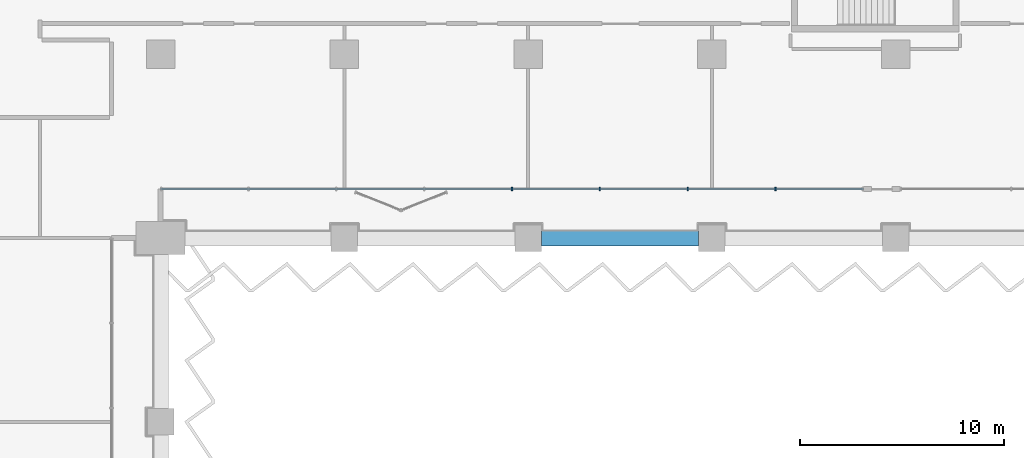
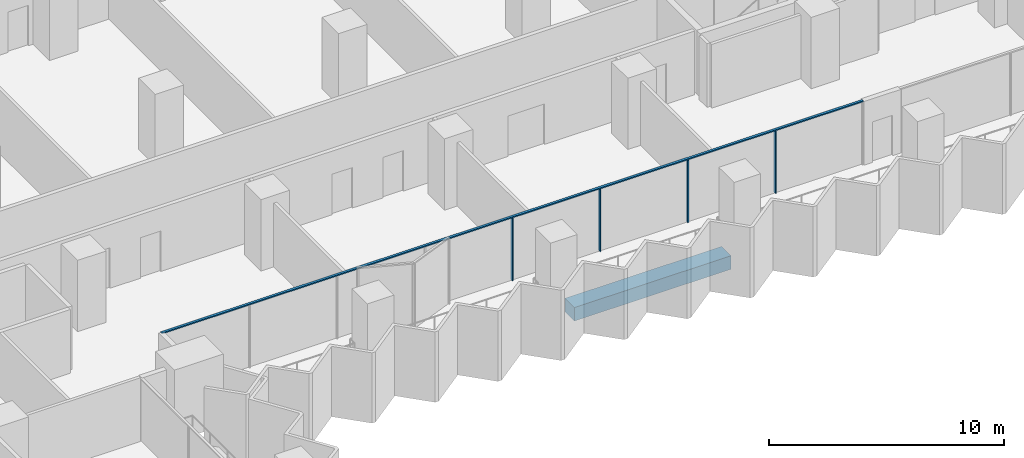
# One storey, part 5 of 28: 5 members, 1 beam, 1 element without a shape of its own.
"""IFC4 building model written with IfcOpenShell, lengths in metres."""

from ifc_helpers import new_model, si_unit, direction, frame, origin, origin_2d, place, context, subcontext, project, spatial, rectangle, extrude, material, material_profile, profile_set, type_object, element, aggregate, save


model = new_model("IFC4")

# Units and contexts
model_context = context("Model", 3, precision=1e-05, world=origin(), true_north=direction((0.0, 1.0)))
body_context = subcontext(model_context, "Body", "Model", "MODEL_VIEW")
ifc_project = project(units=[si_unit("LENGTHUNIT", "METRE"), si_unit("AREAUNIT", "SQUARE_METRE"), si_unit("VOLUMEUNIT", "CUBIC_METRE"), si_unit("PLANEANGLEUNIT", "RADIAN"), si_unit("MASSUNIT", "GRAM", prefix="KILO")], contexts=[model_context])

# Site, building, storey
site_placement = place(None, origin())
site = spatial("IfcSite", under=ifc_project, at=site_placement, CompositionType="ELEMENT")
building_placement = place(site_placement, origin())
building = spatial("IfcBuilding", under=site, at=building_placement, Name="Hunhe Ridgeline Campus", CompositionType="ELEMENT")
storey_placement = place(building_placement, frame((0.0, 0.0, 39.5)))
storey = spatial("IfcBuildingStorey", under=building, at=storey_placement, Name="L08", CompositionType="ELEMENT", Elevation=39.5)

# Curtain wall, members
ifc_material_1 = material(Name="Aluminium 6063", Category="aluminium")
curtain_wall_type = type_object("IfcCurtainWallType", Name="Curtain wall CW-1", PredefinedType="NOTDEFINED", material=ifc_material_1)
curtain_wall_placement = place(storey_placement, origin())
curtain_wall = element("IfcCurtainWall", 1, at=curtain_wall_placement, inside=storey, type_object=curtain_wall_type, Name="Curtain wall 13", PredefinedType="NOTDEFINED")
ifc_material_profile_1 = material_profile(ifc_material_1, rectangle(XDim=0.159912109375, YDim=0.06005859375, at=origin_2d()))
ifc_profile_set_1 = profile_set([ifc_material_profile_1], Name="Aluminium 6063")
member_type_1 = type_object("IfcMemberType", Name="CW-1 aluminium mullion", PredefinedType="MULLION", material=ifc_profile_set_1)
member_1_placement = place(storey_placement, frame((62.211669921875, 56.40087890625, 0.0), z_axis=(0.0, 0.0, 1.0), x_axis=(-3.602063e-06, 0.999999999994, 0.0)))
member_1 = element("IfcMember", 2, at=member_1_placement, type_object=member_type_1, Name="CW-1 mullion 5", PredefinedType="MULLION", context=body_context, shape_type="SweptSolid", body=[
    extrude(rectangle(XDim=0.159912109375, YDim=0.06005859375, at=origin_2d()), origin(), (0.0, 0.0, 1.0), 3.239990234375),
])
member_2_placement = place(storey_placement, frame((66.514892578125, 56.40087890625, 0.0), z_axis=(0.0, 0.0, 1.0), x_axis=(-3.602063e-06, 0.999999999994, 0.0)))
member_2 = element("IfcMember", 3, at=member_2_placement, type_object=member_type_1, Name="CW-1 mullion 6", PredefinedType="MULLION", context=body_context, shape_type="SweptSolid", body=[
    extrude(rectangle(XDim=0.159912109375, YDim=0.06005859375, at=origin_2d()), origin(), (0.0, 0.0, 1.0), 3.239990234375),
])
member_3_placement = place(storey_placement, frame((70.81787109375, 56.40087890625, 0.0), z_axis=(0.0, 0.0, 1.0), x_axis=(-3.602063e-06, 0.999999999994, 0.0)))
member_3 = element("IfcMember", 4, at=member_3_placement, type_object=member_type_1, Name="CW-1 mullion 7", PredefinedType="MULLION", context=body_context, shape_type="SweptSolid", body=[
    extrude(rectangle(XDim=0.159912109375, YDim=0.06005859375, at=origin_2d()), origin(), (0.0, 0.0, 1.0), 3.239990234375),
])
member_4_placement = place(storey_placement, frame((75.12109375, 56.40087890625, 0.0), z_axis=(0.0, 0.0, 1.0), x_axis=(-3.602063e-06, 0.999999999994, 0.0)))
member_4 = element("IfcMember", 5, at=member_4_placement, type_object=member_type_1, Name="CW-1 mullion 8", PredefinedType="MULLION", context=body_context, shape_type="SweptSolid", body=[
    extrude(rectangle(XDim=0.159912109375, YDim=0.06005859375, at=origin_2d()), origin(), (0.0, 0.0, 1.0), 3.239990234375),
])
ifc_material_profile_2 = material_profile(ifc_material_1, rectangle(XDim=0.1201171875, YDim=0.06005859375, at=origin_2d()))
ifc_profile_set_2 = profile_set([ifc_material_profile_2], Name="Aluminium 6063")
member_type_2 = type_object("IfcMemberType", Name="CW-1 aluminium transom", PredefinedType="USERDEFINED", material=ifc_profile_set_2)
member_5_placement = place(storey_placement, frame((44.99951171875, 56.40087890625, 3.27001953125), z_axis=(1.0, 0.0, 0.0), x_axis=(0.0, 1.0, 0.0)))
member_5 = element("IfcMember", 6, at=member_5_placement, type_object=member_type_2, Name="CW-1 transom 1", ObjectType="TRANSOM", PredefinedType="USERDEFINED", context=body_context, shape_type="SweptSolid", body=[
    extrude(rectangle(XDim=0.1201171875, YDim=0.06005859375, at=origin_2d()), origin(), (0.0, 0.0, 1.0), 34.424560546875),
])
aggregate(curtain_wall, [member_5, member_1, member_2, member_3, member_4])

# Beam
ifc_material_2 = material(Name="Concrete C60", Category="concrete")
ifc_material_profile_3 = material_profile(ifc_material_2, rectangle(XDim=0.800048828125, YDim=0.699951171875, at=origin_2d()))
ifc_profile_set_3 = profile_set([ifc_material_profile_3], Name="Concrete C60")
beam_type = type_object("IfcBeamType", Name="RC spandrel beam 800x700 Concrete C60", PredefinedType="SPANDREL", material=ifc_profile_set_3)
beam_placement = place(storey_placement, frame((63.64990234375, 54.0, -0.60009765625), z_axis=(1.0, 0.0, 0.0), x_axis=(0.0, 1.0, 0.0)))
element("IfcBeam", 7, at=beam_placement, inside=storey, type_object=beam_type, Name="Spandrel beam B1-14 L08", PredefinedType="SPANDREL", context=body_context, shape_type="SweptSolid", body=[
    extrude(rectangle(XDim=0.800048828125, YDim=0.699951171875, at=origin_2d()), origin(), (0.0, 0.0, 1.0), 7.7001953125),
])

save(model, "model.ifc")
